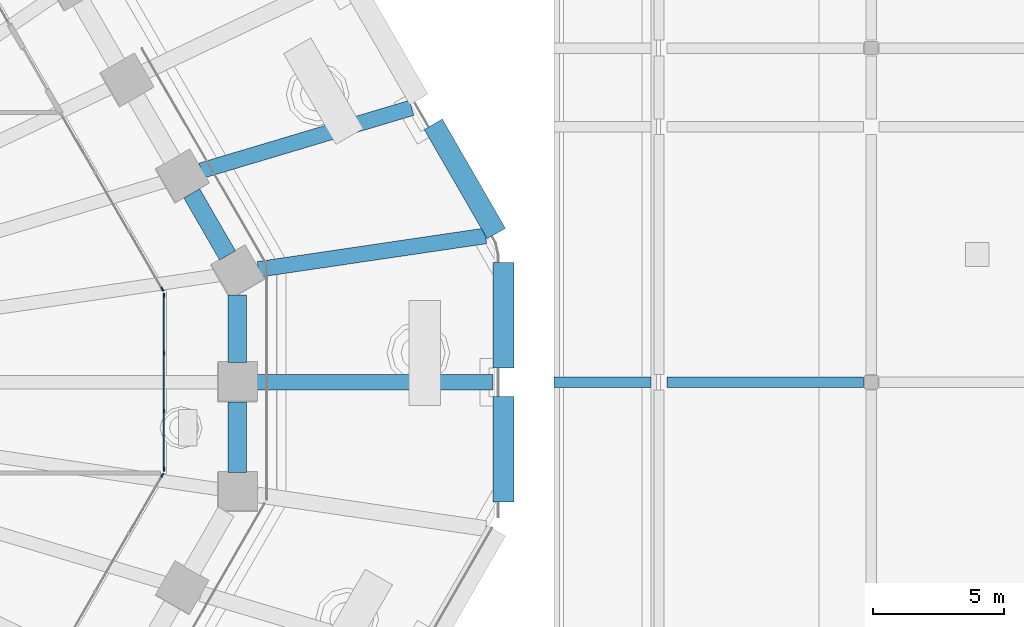
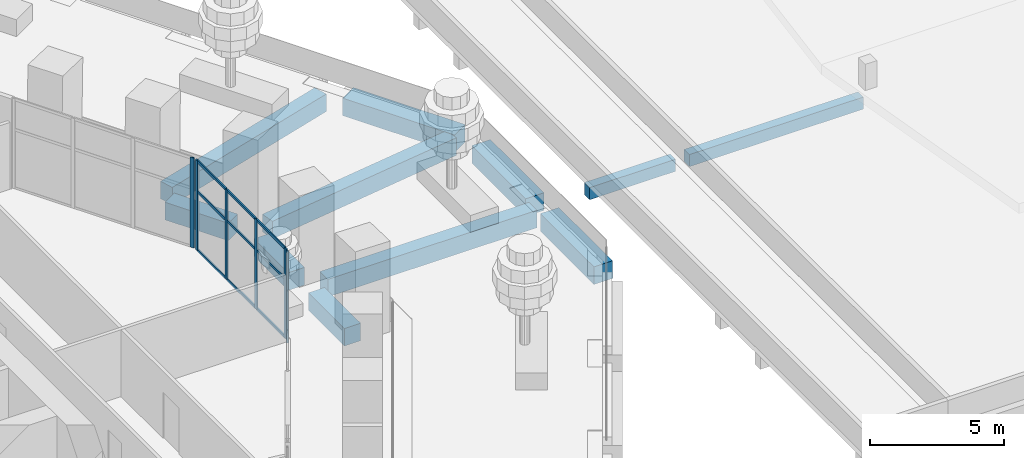
# One storey, part 17 of 32: 15 members, 11 beams, 3 elements without a shape of their own.
"""IFC4 building model written with IfcOpenShell, lengths in metres."""

from ifc_helpers import new_model, si_unit, direction, frame, origin, origin_2d, place, context, subcontext, project, spatial, rectangle, extrude, material, material_profile, profile_set, type_object, element, aggregate, save


model = new_model("IFC4")

# Units and contexts
model_context = context("Model", 3, precision=1e-05, world=origin(), true_north=direction((0.0, 1.0)))
body_context = subcontext(model_context, "Body", "Model", "MODEL_VIEW")
ifc_project = project(units=[si_unit("LENGTHUNIT", "METRE"), si_unit("AREAUNIT", "SQUARE_METRE"), si_unit("VOLUMEUNIT", "CUBIC_METRE"), si_unit("PLANEANGLEUNIT", "RADIAN"), si_unit("MASSUNIT", "GRAM", prefix="KILO")], contexts=[model_context])

# Site, building, storey
site_placement = place(None, origin())
site = spatial("IfcSite", under=ifc_project, at=site_placement, CompositionType="ELEMENT")
building_placement = place(site_placement, origin())
building = spatial("IfcBuilding", under=site, at=building_placement, Name="Frailejon Research Tower", CompositionType="ELEMENT")
storey_placement = place(building_placement, frame((0.0, 0.0, 14.60009765625)))
storey = spatial("IfcBuildingStorey", under=building, at=storey_placement, Name="L03", CompositionType="ELEMENT", Elevation=14.60009765625)

# Beams
ifc_material_1 = material(Name="Concrete C60/75", Category="concrete")
ifc_material_profile_1 = material_profile(ifc_material_1, rectangle(XDim=0.800048828125, YDim=0.800048828125, at=origin_2d()), Name="Base ring beam")
ifc_profile_set_1 = profile_set([ifc_material_profile_1], Name="Concrete C60/75")
beam_type_1 = type_object("IfcBeamType", Name="Base ring beam", PredefinedType="BEAM", material=ifc_profile_set_1)
for number, where, z_axis, x_axis, name in (
    (1, (38.569091796875, -4.56103515625, -0.800048828125), (0.0, 1.0, 0.0), (-1.0, 0.0, 0.0), "Base ring beam"),
    (2, (38.569091796875, 0.550048828125, -0.800048828125), (0.0, 1.0, 0.0), (-1.0, 0.0, 0.0), "Base ring beam"),
):
    element("IfcBeam", number, at=place(storey_placement, frame(where, z_axis=z_axis, x_axis=x_axis)), inside=storey, type_object=beam_type_1, Name=name, PredefinedType="BEAM", context=body_context, shape_type="SweptSolid", body=[
        extrude(rectangle(XDim=0.800048828125, YDim=0.800048828125, at=origin_2d()), origin(), (0.0, 0.0, 1.0), 4.010986328125),
    ])
beam_1_placement = place(storey_placement, frame((38.294189453125, 5.672607421875, -0.800048828125), z_axis=(-0.500028306193, 0.866009060579, 0.0), x_axis=(-0.866009060579, -0.500028306193, 0.0)))
element("IfcBeam", 3, at=beam_1_placement, inside=storey, type_object=beam_type_1, Name="Base ring beam", PredefinedType="BEAM", context=body_context, shape_type="SweptSolid", body=[
    extrude(rectangle(XDim=0.800048828125, YDim=0.800048828125, at=origin_2d()), origin(), (0.0, 0.0, 1.0), 4.813720703125),
])

# Curtain wall, members
ifc_material_2 = material(Name="Aluminium curtain wall", Category="aluminium")
curtain_wall_type = type_object("IfcCurtainWallType", Name="Base zone unitised curtain wall system", PredefinedType="NOTDEFINED", material=ifc_material_2)
curtain_wall_1_placement = place(storey_placement, origin())
curtain_wall_1 = element("IfcCurtainWall", 4, at=curtain_wall_1_placement, inside=storey, type_object=curtain_wall_type, Name="Curtain wall L03", PredefinedType="NOTDEFINED")
ifc_material_3 = material(Name="Aluminium extrusion", Category="aluminium")
ifc_material_profile_2 = material_profile(ifc_material_3, rectangle(XDim=0.06005859375, YDim=0.159912109375, at=origin_2d()), Name="Base zone unitised curtain wall mullion 60x160")
ifc_profile_set_2 = profile_set([ifc_material_profile_2], Name="Aluminium extrusion")
member_type_1 = type_object("IfcMemberType", Name="Base zone unitised curtain wall mullion 60x160", PredefinedType="MULLION", material=ifc_profile_set_2)
member_1_placement = place(storey_placement, frame((25.61279296875, -3.307373046875, 0.0), z_axis=(0.0, 0.0, 1.0), x_axis=(-1.0, 0.0, 0.0)))
member_1 = element("IfcMember", 5, at=member_1_placement, type_object=member_type_1, Name="CW3-045 mullion 1", PredefinedType="MULLION", context=body_context, shape_type="SweptSolid", body=[
    extrude(rectangle(XDim=0.06005859375, YDim=0.159912109375, at=origin_2d()), origin(), (0.0, 0.0, 1.0), 4.099853515625),
])
member_2_placement = place(storey_placement, frame((25.61279296875, -1.112548828125, 0.0), z_axis=(0.0, 0.0, 1.0), x_axis=(-1.0, 0.0, 0.0)))
member_2 = element("IfcMember", 6, at=member_2_placement, type_object=member_type_1, Name="CW3-045 mullion 2", PredefinedType="MULLION", context=body_context, shape_type="SweptSolid", body=[
    extrude(rectangle(XDim=0.06005859375, YDim=0.159912109375, at=origin_2d()), origin(), (0.0, 0.0, 1.0), 4.099853515625),
])
member_3_placement = place(storey_placement, frame((25.61279296875, 1.112548828125, 0.0), z_axis=(0.0, 0.0, 1.0), x_axis=(-1.0, 0.0, 0.0)))
member_3 = element("IfcMember", 7, at=member_3_placement, type_object=member_type_1, Name="CW3-045 mullion 3", PredefinedType="MULLION", context=body_context, shape_type="SweptSolid", body=[
    extrude(rectangle(XDim=0.06005859375, YDim=0.159912109375, at=origin_2d()), origin(), (0.0, 0.0, 1.0), 4.099853515625),
])
member_4_placement = place(storey_placement, frame((25.61279296875, 3.307373046875, 0.0), z_axis=(0.0, 0.0, 1.0), x_axis=(-1.0, 0.0, 0.0)))
member_4 = element("IfcMember", 8, at=member_4_placement, type_object=member_type_1, Name="CW3-045 mullion 4", PredefinedType="MULLION", context=body_context, shape_type="SweptSolid", body=[
    extrude(rectangle(XDim=0.06005859375, YDim=0.159912109375, at=origin_2d()), origin(), (0.0, 0.0, 1.0), 4.099853515625),
])

# Curtain wall, member
curtain_wall_2_placement = place(storey_placement, origin())
curtain_wall_2 = element("IfcCurtainWall", 9, at=curtain_wall_2_placement, inside=storey, type_object=curtain_wall_type, Name="Curtain wall L03", PredefinedType="NOTDEFINED")
member_5_placement = place(storey_placement, frame((25.5478515625, 3.5498046875, 0.0), z_axis=(0.0, 0.0, 1.0), x_axis=(-0.866029434533, -0.499993018474, 0.0)))
member_5 = element("IfcMember", 10, at=member_5_placement, type_object=member_type_1, Name="CW3-046 mullion 1", PredefinedType="MULLION", context=body_context, shape_type="SweptSolid", body=[
    extrude(rectangle(XDim=0.06005859375, YDim=0.159912109375, at=origin_2d()), origin(), (0.0, 0.0, 1.0), 4.099853515625),
])
aggregate(curtain_wall_2, [member_5])

curtain_wall_3_placement = place(storey_placement, origin())
curtain_wall_3 = element("IfcCurtainWall", 11, at=curtain_wall_3_placement, inside=storey, type_object=curtain_wall_type, Name="Curtain wall L03", PredefinedType="NOTDEFINED")
member_6_placement = place(storey_placement, frame((25.5478515625, -3.5498046875, 0.0), z_axis=(0.0, 0.0, 1.0), x_axis=(-0.866029434533, 0.499993018474, 0.0)))
member_6 = element("IfcMember", 12, at=member_6_placement, type_object=member_type_1, Name="CW3-062 mullion 4", PredefinedType="MULLION", context=body_context, shape_type="SweptSolid", body=[
    extrude(rectangle(XDim=0.06005859375, YDim=0.159912109375, at=origin_2d()), origin(), (0.0, 0.0, 1.0), 4.099853515625),
])
aggregate(curtain_wall_3, [member_6])

# Member
ifc_material_4 = material(Name="Aluminium extrusion", Category="aluminium")
ifc_material_profile_3 = material_profile(ifc_material_4, rectangle(XDim=0.06005859375, YDim=0.1201171875, at=origin_2d()), Name="Base zone unitised curtain wall transom 60x120")
ifc_profile_set_3 = profile_set([ifc_material_profile_3], Name="Aluminium extrusion")
member_type_2 = type_object("IfcMemberType", Name="Base zone unitised curtain wall transom 60x120", PredefinedType="USERDEFINED", material=ifc_profile_set_3)
member_7_placement = place(storey_placement, frame((25.61279296875, -3.27734375, 0.02978515625), z_axis=(0.0, 1.0, 0.0), x_axis=(-1.0, 0.0, 0.0)))
member_7 = element("IfcMember", 13, at=member_7_placement, type_object=member_type_2, Name="CW3-045 transom 1.1", ObjectType="TRANSOM", PredefinedType="USERDEFINED", context=body_context, shape_type="SweptSolid", body=[
    extrude(rectangle(XDim=0.06005859375, YDim=0.1201171875, at=origin_2d()), origin(), (0.0, 0.0, 1.0), 2.135009765625),
])

member_8_placement = place(storey_placement, frame((25.61279296875, -3.27734375, 2.699951171875), z_axis=(0.0, 1.0, 0.0), x_axis=(-1.0, 0.0, 0.0)))
member_8 = element("IfcMember", 14, at=member_8_placement, type_object=member_type_2, Name="CW3-045 transom 1.2", ObjectType="TRANSOM", PredefinedType="USERDEFINED", context=body_context, shape_type="SweptSolid", body=[
    extrude(rectangle(XDim=0.06005859375, YDim=0.1201171875, at=origin_2d()), origin(), (0.0, 0.0, 1.0), 2.135009765625),
])

member_9_placement = place(storey_placement, frame((25.61279296875, -3.27734375, 4.06982421875), z_axis=(0.0, 1.0, 0.0), x_axis=(-1.0, 0.0, 0.0)))
member_9 = element("IfcMember", 15, at=member_9_placement, type_object=member_type_2, Name="CW3-045 transom 1.3", ObjectType="TRANSOM", PredefinedType="USERDEFINED", context=body_context, shape_type="SweptSolid", body=[
    extrude(rectangle(XDim=0.06005859375, YDim=0.1201171875, at=origin_2d()), origin(), (0.0, 0.0, 1.0), 2.135009765625),
])

member_10_placement = place(storey_placement, frame((25.61279296875, -1.08251953125, 0.02978515625), z_axis=(0.0, 1.0, 0.0), x_axis=(-1.0, 0.0, 0.0)))
member_10 = element("IfcMember", 16, at=member_10_placement, type_object=member_type_2, Name="CW3-045 transom 2.1", ObjectType="TRANSOM", PredefinedType="USERDEFINED", context=body_context, shape_type="SweptSolid", body=[
    extrude(rectangle(XDim=0.06005859375, YDim=0.1201171875, at=origin_2d()), origin(), (0.0, 0.0, 1.0), 2.1650390625),
])

member_11_placement = place(storey_placement, frame((25.61279296875, -1.08251953125, 2.699951171875), z_axis=(0.0, 1.0, 0.0), x_axis=(-1.0, 0.0, 0.0)))
member_11 = element("IfcMember", 17, at=member_11_placement, type_object=member_type_2, Name="CW3-045 transom 2.2", ObjectType="TRANSOM", PredefinedType="USERDEFINED", context=body_context, shape_type="SweptSolid", body=[
    extrude(rectangle(XDim=0.06005859375, YDim=0.1201171875, at=origin_2d()), origin(), (0.0, 0.0, 1.0), 2.1650390625),
])

member_12_placement = place(storey_placement, frame((25.61279296875, -1.08251953125, 4.06982421875), z_axis=(0.0, 1.0, 0.0), x_axis=(-1.0, 0.0, 0.0)))
member_12 = element("IfcMember", 18, at=member_12_placement, type_object=member_type_2, Name="CW3-045 transom 2.3", ObjectType="TRANSOM", PredefinedType="USERDEFINED", context=body_context, shape_type="SweptSolid", body=[
    extrude(rectangle(XDim=0.06005859375, YDim=0.1201171875, at=origin_2d()), origin(), (0.0, 0.0, 1.0), 2.1650390625),
])

member_13_placement = place(storey_placement, frame((25.61279296875, 1.142333984375, 0.02978515625), z_axis=(0.0, 1.0, 0.0), x_axis=(-1.0, 0.0, 0.0)))
member_13 = element("IfcMember", 19, at=member_13_placement, type_object=member_type_2, Name="CW3-045 transom 3.1", ObjectType="TRANSOM", PredefinedType="USERDEFINED", context=body_context, shape_type="SweptSolid", body=[
    extrude(rectangle(XDim=0.06005859375, YDim=0.1201171875, at=origin_2d()), origin(), (0.0, 0.0, 1.0), 2.135009765625),
])

member_14_placement = place(storey_placement, frame((25.61279296875, 1.142333984375, 2.699951171875), z_axis=(0.0, 1.0, 0.0), x_axis=(-1.0, 0.0, 0.0)))
member_14 = element("IfcMember", 20, at=member_14_placement, type_object=member_type_2, Name="CW3-045 transom 3.2", ObjectType="TRANSOM", PredefinedType="USERDEFINED", context=body_context, shape_type="SweptSolid", body=[
    extrude(rectangle(XDim=0.06005859375, YDim=0.1201171875, at=origin_2d()), origin(), (0.0, 0.0, 1.0), 2.135009765625),
])

member_15_placement = place(storey_placement, frame((25.61279296875, 1.142333984375, 4.06982421875), z_axis=(0.0, 1.0, 0.0), x_axis=(-1.0, 0.0, 0.0)))
member_15 = element("IfcMember", 21, at=member_15_placement, type_object=member_type_2, Name="CW3-045 transom 3.3", ObjectType="TRANSOM", PredefinedType="USERDEFINED", context=body_context, shape_type="SweptSolid", body=[
    extrude(rectangle(XDim=0.06005859375, YDim=0.1201171875, at=origin_2d()), origin(), (0.0, 0.0, 1.0), 2.135009765625),
])

aggregate(curtain_wall_1, [member_1, member_2, member_3, member_4, member_7, member_8, member_9, member_10, member_11, member_12, member_13, member_14, member_15])

# Beams
ifc_material_5 = material(Name="Concrete C60/75", Category="concrete")
ifc_material_profile_4 = material_profile(ifc_material_5, rectangle(XDim=0.60009765625, YDim=0.800048828125, at=origin_2d()), Name="Deck girder")
ifc_profile_set_4 = profile_set([ifc_material_profile_4], Name="Concrete C60/75")
beam_type_2 = type_object("IfcBeamType", Name="Deck girder", PredefinedType="BEAM", material=ifc_profile_set_4)
beam_2_placement = place(storey_placement, frame((29.162841796875, 0.0, -0.800048828125), z_axis=(1.0, 0.0, 0.0), x_axis=(0.0, 1.0, 0.0)))
element("IfcBeam", 22, at=beam_2_placement, inside=storey, type_object=beam_type_2, Name="Deck girder", PredefinedType="BEAM", context=body_context, shape_type="SweptSolid", body=[
    extrude(rectangle(XDim=0.60009765625, YDim=0.800048828125, at=origin_2d()), origin(), (0.0, 0.0, 1.0), 9.00634765625),
])
beam_3_placement = place(storey_placement, frame((29.2109375, 4.30517578125, -0.800048828125), z_axis=(0.989311448826, 0.145817890611, 0.0), x_axis=(-0.145817890611, 0.989311448826, 0.0)))
element("IfcBeam", 23, at=beam_3_placement, inside=storey, type_object=beam_type_2, Name="Deck girder", PredefinedType="BEAM", context=body_context, shape_type="SweptSolid", body=[
    extrude(rectangle(XDim=0.60009765625, YDim=0.800048828125, at=origin_2d()), origin(), (0.0, 0.0, 1.0), 8.7666015625),
])
beam_4_placement = place(storey_placement, frame((27.035400390625, 8.072998046875, -0.800048828125), z_axis=(0.958192065752, 0.286125785503, 0.0), x_axis=(-0.286125785503, 0.958192065752, 0.0)))
element("IfcBeam", 24, at=beam_4_placement, inside=storey, type_object=beam_type_2, Name="Deck girder", PredefinedType="BEAM", context=body_context, shape_type="SweptSolid", body=[
    extrude(rectangle(XDim=0.60009765625, YDim=0.800048828125, at=origin_2d()), origin(), (0.0, 0.0, 1.0), 8.37744140625),
])
ifc_material_6 = material(Name="Concrete C35/45", Category="concrete")
ifc_material_profile_5 = material_profile(ifc_material_6, rectangle(XDim=0.39990234375, YDim=0.550048828125, at=origin_2d()), Name="HC beam 400x550")
ifc_profile_set_5 = profile_set([ifc_material_profile_5], Name="Concrete C35/45")
beam_type_3 = type_object("IfcBeamType", Name="HC beam 400x550", PredefinedType="BEAM", material=ifc_profile_set_5)
beam_5_placement = place(storey_placement, frame((44.800048828125, 0.0, -0.525146484375), z_axis=(1.0, 0.0, 0.0), x_axis=(0.0, 1.0, 0.0)))
element("IfcBeam", 25, at=beam_5_placement, inside=storey, type_object=beam_type_3, Name="HC roof beam", PredefinedType="BEAM", context=body_context, shape_type="SweptSolid", body=[
    extrude(rectangle(XDim=0.39990234375, YDim=0.550048828125, at=origin_2d()), origin(), (0.0, 0.0, 1.0), 7.5),
])
beam_6_placement = place(storey_placement, frame((40.5, 0.0, -0.525146484375), z_axis=(1.0, 0.0, 0.0), x_axis=(0.0, 1.0, 0.0)))
element("IfcBeam", 26, at=beam_6_placement, inside=storey, type_object=beam_type_3, Name="HC canopy beam", PredefinedType="BEAM", context=body_context, shape_type="SweptSolid", body=[
    extrude(rectangle(XDim=0.39990234375, YDim=0.550048828125, at=origin_2d()), origin(), (0.0, 0.0, 1.0), 3.699951171875),
])
ifc_material_7 = material(Name="Concrete C60/75", Category="concrete")
ifc_material_profile_6 = material_profile(ifc_material_7, rectangle(XDim=0.699951171875, YDim=0.800048828125, at=origin_2d()), Name="Spandrel 700x800")
ifc_profile_set_6 = profile_set([ifc_material_profile_6], Name="Concrete C60/75")
beam_type_4 = type_object("IfcBeamType", Name="Spandrel 700x800", PredefinedType="BEAM", material=ifc_profile_set_6)
beam_7_placement = place(storey_placement, frame((28.412841796875, -3.4375, -0.75), z_axis=(0.0, 1.0, 0.0), x_axis=(-1.0, 0.0, 0.0)))
element("IfcBeam", 27, at=beam_7_placement, inside=storey, type_object=beam_type_4, Name="Spandrel 700x800", PredefinedType="BEAM", context=body_context, shape_type="SweptSolid", body=[
    extrude(rectangle(XDim=0.699951171875, YDim=0.800048828125, at=origin_2d()), origin(), (0.0, 0.0, 1.0), 2.6875),
])
beam_8_placement = place(storey_placement, frame((28.412841796875, 0.75, -0.75), z_axis=(0.0, 1.0, 0.0), x_axis=(-1.0, 0.0, 0.0)))
element("IfcBeam", 28, at=beam_8_placement, inside=storey, type_object=beam_type_4, Name="Spandrel 700x800", PredefinedType="BEAM", context=body_context, shape_type="SweptSolid", body=[
    extrude(rectangle(XDim=0.699951171875, YDim=0.800048828125, at=origin_2d()), origin(), (0.0, 0.0, 1.0), 2.571533203125),
])
beam_9_placement = place(storey_placement, frame((28.037841796875, 4.837158203125, -0.75), z_axis=(-0.500031897912, 0.866006986733, 0.0), x_axis=(-0.866006986733, -0.500031897912, 0.0)))
element("IfcBeam", 29, at=beam_9_placement, inside=storey, type_object=beam_type_4, Name="Spandrel 700x800", PredefinedType="BEAM", context=body_context, shape_type="SweptSolid", body=[
    extrude(rectangle(XDim=0.699951171875, YDim=0.800048828125, at=origin_2d()), origin(), (0.0, 0.0, 1.0), 2.731689453125),
])

save(model, "model.ifc")
